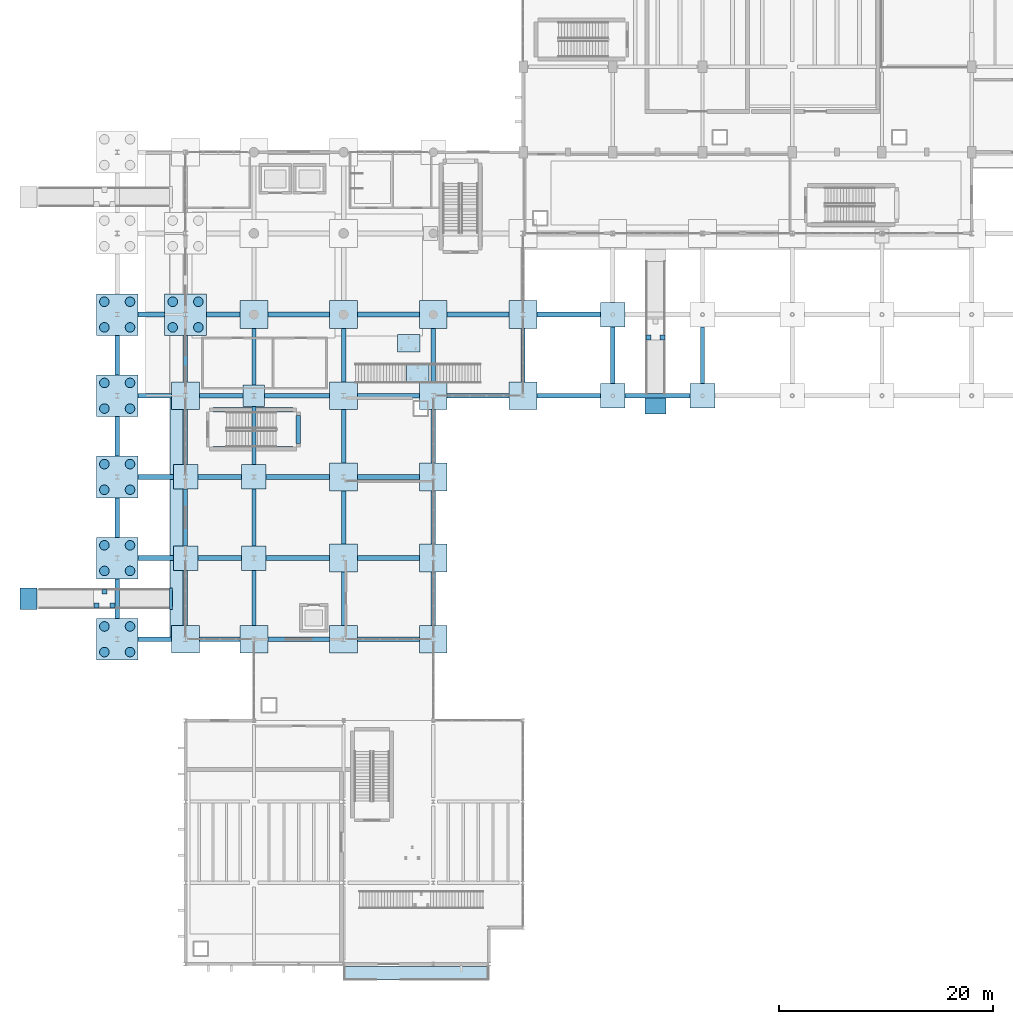
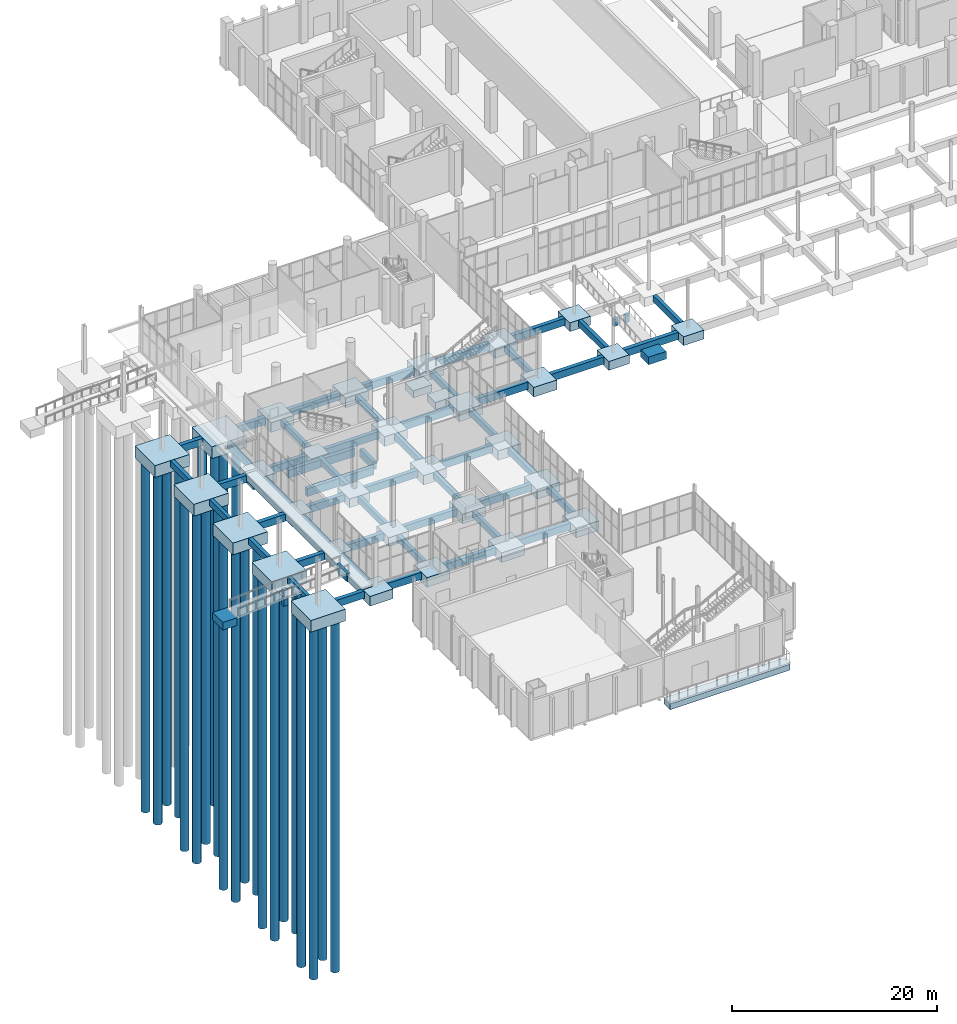
# One storey, part 1 of 95: 93 footings, 24 piles.
"""IFC4 building model written with IfcOpenShell, lengths in metres."""

from ifc_helpers import new_model, si_unit, direction, frame, origin, origin_2d, place, context, subcontext, project, spatial, polyline, rectangle, circle, outline, extrude, material, material_profile, profile_set, type_object, element, save


model = new_model("IFC4")

# Units and contexts
model_context = context("Model", 3, precision=1e-05, world=origin(), true_north=direction((0.0, 1.0)))
body_context = subcontext(model_context, "Body", "Model", "MODEL_VIEW")
ifc_project = project(units=[si_unit("LENGTHUNIT", "METRE"), si_unit("AREAUNIT", "SQUARE_METRE"), si_unit("VOLUMEUNIT", "CUBIC_METRE"), si_unit("PLANEANGLEUNIT", "RADIAN"), si_unit("MASSUNIT", "GRAM", prefix="KILO")], contexts=[model_context])

# Site, building, storey
site_placement = place(None, origin())
site = spatial("IfcSite", under=ifc_project, at=site_placement, CompositionType="ELEMENT")
building_placement = place(site_placement, origin())
building = spatial("IfcBuilding", under=site, at=building_placement, Name="Shengluoqiao Park Theatre", CompositionType="ELEMENT")
storey_placement = place(building_placement, origin())
storey = spatial("IfcBuildingStorey", under=building, at=storey_placement, Name="L00", CompositionType="ELEMENT", Elevation=0.0)

# Footings
ifc_material = material(Name="Concrete C40", Category="concrete")
footing_type_1 = type_object("IfcFootingType", Name="STR-PAD-1750", PredefinedType="PAD_FOOTING", material=ifc_material)
for number, where, z_axis, x_axis, name in (
    (1, (4.449951171875, 33.550048828125, -1.5), (0.0, 0.0, 1.0), (1.0, 0.0, 0.0), "RMP-02 Landing Pier 1"),
    (2, (5.949951171875, 33.550048828125, -1.5), (0.0, 0.0, 1.0), (1.0, 0.0, 0.0), "RMP-02 Landing Pier 2"),
    (3, (5.199951171875, 34.85009765625, -1.5), (0.0, 0.0, 1.0), (1.0, 0.0, 0.0), "RMP-02 Landing Pier 3"),
    (4, (56.14990234375, 58.64990234375, -1.5), (0.0, 0.0, 1.0), (1.0, 0.0, 0.0), "RMP-03 Landing Pier 1"),
    (5, (57.449951171875, 58.64990234375, -1.5), (0.0, 0.0, 1.0), (1.0, 0.0, 0.0), "RMP-03 Landing Pier 2"),
):
    element("IfcFooting", number, at=place(storey_placement, frame(where, z_axis=z_axis, x_axis=x_axis)), inside=storey, type_object=footing_type_1, Name=name, PredefinedType="PAD_FOOTING", context=body_context, shape_type="SweptSolid", body=[
        extrude(rectangle(XDim=0.449951171875, YDim=0.449951171875, at=origin_2d()), origin(), (0.0, 0.0, 1.0), 0.830078125),
    ])
footing_type_2 = type_object("IfcFootingType", Name="STR-PAD-2000", PredefinedType="PAD_FOOTING", material=ifc_material)
footing_1_placement = place(storey_placement, frame((19.199951171875, 53.199951171875, -1.25), z_axis=(0.0, 0.0, 1.0), x_axis=(1.0, 0.0, 0.0)))
element("IfcFooting", 6, at=footing_1_placement, inside=storey, type_object=footing_type_2, Name="Pad Footing PF-009", PredefinedType="PAD_FOOTING", context=body_context, shape_type="SweptSolid", body=[
    extrude(rectangle(XDim=2.0, YDim=2.0, at=origin_2d()), origin(), (0.0, 0.0, 1.0), 0.949951171875),
])
footing_type_3 = type_object("IfcFootingType", Name="STR-PAD-2300", PredefinedType="PAD_FOOTING", material=ifc_material)
for number, where, z_axis, x_axis, name in (
    (7, (12.800048828125, 38.0, -1.35009765625), (0.0, 0.0, 1.0), (1.0, 0.0, 0.0), "Pad Footing PF-002"),
    (8, (12.800048828125, 45.60009765625, -1.35009765625), (0.0, 0.0, 1.0), (1.0, 0.0, 0.0), "Pad Footing PF-003"),
    (9, (19.199951171875, 38.0, -1.35009765625), (0.0, 0.0, 1.0), (1.0, 0.0, 0.0), "Pad Footing PF-007"),
    (10, (19.199951171875, 45.60009765625, -1.35009765625), (0.0, 0.0, 1.0), (1.0, 0.0, 0.0), "Pad Footing PF-008"),
    (11, (52.800048828125, 53.199951171875, -1.35009765625), (0.0, 0.0, 1.0), (1.0, 0.0, 0.0), "Pad Footing PF-030"),
    (12, (52.800048828125, 60.800048828125, -1.35009765625), (0.0, 0.0, 1.0), (1.0, 0.0, 0.0), "Pad Footing PF-031"),
    (13, (61.199951171875, 53.199951171875, -1.35009765625), (0.0, 0.0, 1.0), (1.0, 0.0, 0.0), "Pad Footing PF-033"),
):
    element("IfcFooting", number, at=place(storey_placement, frame(where, z_axis=z_axis, x_axis=x_axis)), inside=storey, type_object=footing_type_3, Name=name, PredefinedType="PAD_FOOTING", context=body_context, shape_type="SweptSolid", body=[
        extrude(rectangle(XDim=2.300048828125, YDim=2.300048828125, at=origin_2d()), origin(), (0.0, 0.0, 1.0), 1.050048828125),
    ])
for number, where, z_axis, x_axis, name in (
    (14, (34.554931640625, 55.300048828125, -1.150146484375), (0.0, 0.0, 1.0), (1.0, 0.0, 0.0), "ST-07-L00 Combined Landing Pad"),
    (15, (33.68505859375, 58.10009765625, -1.150146484375), (0.0, 0.0, 1.0), (1.0, 0.0, 0.0), "ST-07-L01 Combined Landing Pad"),
):
    element("IfcFooting", number, at=place(storey_placement, frame(where, z_axis=z_axis, x_axis=x_axis)), inside=storey, type_object=footing_type_3, Name=name, PredefinedType="PAD_FOOTING", context=body_context, shape_type="SweptSolid", body=[
        extrude(rectangle(XDim=2.10009765625, YDim=1.64990234375, at=origin_2d()), origin(), (0.0, 0.0, 1.0), 0.85009765625),
    ])
footing_type_4 = type_object("IfcFootingType", Name="STR-PAD-2600", PredefinedType="PAD_FOOTING", material=ifc_material)
for number, where, z_axis, x_axis, name in (
    (16, (12.800048828125, 30.39990234375, -1.449951171875), (0.0, 0.0, 1.0), (1.0, 0.0, 0.0), "Pad Footing PF-001"),
    (17, (12.800048828125, 53.199951171875, -1.449951171875), (0.0, 0.0, 1.0), (1.0, 0.0, 0.0), "Pad Footing PF-004"),
    (18, (19.199951171875, 30.39990234375, -1.449951171875), (0.0, 0.0, 1.0), (1.0, 0.0, 0.0), "Pad Footing PF-006"),
    (19, (19.199951171875, 60.800048828125, -1.449951171875), (0.0, 0.0, 1.0), (1.0, 0.0, 0.0), "Pad Footing PF-010"),
    (20, (27.60009765625, 30.39990234375, -1.449951171875), (0.0, 0.0, 1.0), (1.0, 0.0, 0.0), "Pad Footing PF-013"),
    (21, (27.60009765625, 38.0, -1.449951171875), (0.0, 0.0, 1.0), (1.0, 0.0, 0.0), "Pad Footing PF-014"),
    (22, (27.60009765625, 45.60009765625, -1.449951171875), (0.0, 0.0, 1.0), (1.0, 0.0, 0.0), "Pad Footing PF-015"),
    (23, (27.60009765625, 53.199951171875, -1.449951171875), (0.0, 0.0, 1.0), (1.0, 0.0, 0.0), "Pad Footing PF-016"),
    (24, (27.60009765625, 60.800048828125, -1.449951171875), (0.0, 0.0, 1.0), (1.0, 0.0, 0.0), "Pad Footing PF-017"),
    (25, (36.0, 30.39990234375, -1.449951171875), (0.0, 0.0, 1.0), (1.0, 0.0, 0.0), "Pad Footing PF-020"),
    (26, (36.0, 38.0, -1.449951171875), (0.0, 0.0, 1.0), (1.0, 0.0, 0.0), "Pad Footing PF-021"),
    (27, (36.0, 45.60009765625, -1.449951171875), (0.0, 0.0, 1.0), (1.0, 0.0, 0.0), "Pad Footing PF-022"),
    (28, (36.0, 53.199951171875, -1.449951171875), (0.0, 0.0, 1.0), (1.0, 0.0, 0.0), "Pad Footing PF-023"),
    (29, (36.0, 60.800048828125, -1.449951171875), (0.0, 0.0, 1.0), (1.0, 0.0, 0.0), "Pad Footing PF-024"),
    (30, (44.39990234375, 53.199951171875, -1.449951171875), (0.0, 0.0, 1.0), (1.0, 0.0, 0.0), "Pad Footing PF-027"),
    (31, (44.39990234375, 60.800048828125, -1.449951171875), (0.0, 0.0, 1.0), (1.0, 0.0, 0.0), "Pad Footing PF-028"),
):
    element("IfcFooting", number, at=place(storey_placement, frame(where, z_axis=z_axis, x_axis=x_axis)), inside=storey, type_object=footing_type_4, Name=name, PredefinedType="PAD_FOOTING", context=body_context, shape_type="SweptSolid", body=[
        extrude(rectangle(XDim=2.60009765625, YDim=2.60009765625, at=origin_2d()), origin(), (0.0, 0.0, 1.0), 1.14990234375),
    ])
footing_type_5 = type_object("IfcFootingType", Name="STR-PC4-3900", PredefinedType="PILE_CAP", material=ifc_material)
for number, where, z_axis, x_axis, name in (
    (32, (6.39990234375, 30.39990234375, -1.699951171875), (0.0, 0.0, 1.0), (1.0, 0.0, 0.0), "Pile Cap PC4-017"),
    (33, (6.39990234375, 38.0, -1.699951171875), (0.0, 0.0, 1.0), (1.0, 0.0, 0.0), "Pile Cap PC4-018"),
    (34, (6.39990234375, 45.60009765625, -1.699951171875), (0.0, 0.0, 1.0), (1.0, 0.0, 0.0), "Pile Cap PC4-019"),
    (35, (6.39990234375, 53.199951171875, -1.699951171875), (0.0, 0.0, 1.0), (1.0, 0.0, 0.0), "Pile Cap PC4-020"),
    (36, (6.39990234375, 60.800048828125, -1.699951171875), (0.0, 0.0, 1.0), (1.0, 0.0, 0.0), "Pile Cap PC4-021"),
    (37, (12.800048828125, 60.800048828125, -1.699951171875), (0.0, 0.0, 1.0), (1.0, 0.0, 0.0), "Pile Cap PC4-024"),
):
    element("IfcFooting", number, at=place(storey_placement, frame(where, z_axis=z_axis, x_axis=x_axis)), inside=storey, type_object=footing_type_5, Name=name, PredefinedType="PILE_CAP", context=body_context, shape_type="SweptSolid", body=[
        extrude(rectangle(XDim=3.89990234375, YDim=3.89990234375, at=origin_2d()), origin(), (0.0, 0.0, 1.0), 1.39990234375),
    ])

# Piles
ifc_material_profile_1 = material_profile(ifc_material, circle(Radius=0.449951171875, at=origin_2d()), Name="BORED PILE D900")
ifc_profile_set_1 = profile_set([ifc_material_profile_1], Name="Concrete C40")
pile_type = type_object("IfcPileType", Name="STR-PILE-D900", PredefinedType="BORED", material=ifc_profile_set_1)
for number, where, z_axis, x_axis, name in (
    (38, (5.199951171875, 29.199951171875, -1.60009765625), (0.0, 0.0, -1.0), (1.0, 0.0, 0.0), "Bored Pile P-065"),
    (39, (7.60009765625, 29.199951171875, -1.60009765625), (0.0, 0.0, -1.0), (1.0, 0.0, 0.0), "Bored Pile P-066"),
    (40, (7.60009765625, 31.60009765625, -1.60009765625), (0.0, 0.0, -1.0), (1.0, 0.0, 0.0), "Bored Pile P-067"),
    (41, (5.199951171875, 31.60009765625, -1.60009765625), (0.0, 0.0, -1.0), (1.0, 0.0, 0.0), "Bored Pile P-068"),
    (42, (5.199951171875, 36.800048828125, -1.60009765625), (0.0, 0.0, -1.0), (1.0, 0.0, 0.0), "Bored Pile P-069"),
    (43, (7.60009765625, 36.800048828125, -1.60009765625), (0.0, 0.0, -1.0), (1.0, 0.0, 0.0), "Bored Pile P-070"),
    (44, (7.60009765625, 39.199951171875, -1.60009765625), (0.0, 0.0, -1.0), (1.0, 0.0, 0.0), "Bored Pile P-071"),
    (45, (5.199951171875, 39.199951171875, -1.60009765625), (0.0, 0.0, -1.0), (1.0, 0.0, 0.0), "Bored Pile P-072"),
    (46, (5.199951171875, 44.39990234375, -1.60009765625), (0.0, 0.0, -1.0), (1.0, 0.0, 0.0), "Bored Pile P-073"),
    (47, (7.60009765625, 44.39990234375, -1.60009765625), (0.0, 0.0, -1.0), (1.0, 0.0, 0.0), "Bored Pile P-074"),
    (48, (7.60009765625, 46.800048828125, -1.60009765625), (0.0, 0.0, -1.0), (1.0, 0.0, 0.0), "Bored Pile P-075"),
    (49, (5.199951171875, 46.800048828125, -1.60009765625), (0.0, 0.0, -1.0), (1.0, 0.0, 0.0), "Bored Pile P-076"),
    (50, (5.199951171875, 52.0, -1.60009765625), (0.0, 0.0, -1.0), (1.0, 0.0, 0.0), "Bored Pile P-077"),
    (51, (7.60009765625, 52.0, -1.60009765625), (0.0, 0.0, -1.0), (1.0, 0.0, 0.0), "Bored Pile P-078"),
    (52, (7.60009765625, 54.39990234375, -1.60009765625), (0.0, 0.0, -1.0), (1.0, 0.0, 0.0), "Bored Pile P-079"),
    (53, (5.199951171875, 54.39990234375, -1.60009765625), (0.0, 0.0, -1.0), (1.0, 0.0, 0.0), "Bored Pile P-080"),
    (54, (5.199951171875, 59.60009765625, -1.60009765625), (0.0, 0.0, -1.0), (1.0, 0.0, 0.0), "Bored Pile P-081"),
    (55, (7.60009765625, 59.60009765625, -1.60009765625), (0.0, 0.0, -1.0), (1.0, 0.0, 0.0), "Bored Pile P-082"),
    (56, (7.60009765625, 62.0, -1.60009765625), (0.0, 0.0, -1.0), (1.0, 0.0, 0.0), "Bored Pile P-083"),
    (57, (5.199951171875, 62.0, -1.60009765625), (0.0, 0.0, -1.0), (1.0, 0.0, 0.0), "Bored Pile P-084"),
    (58, (11.60009765625, 59.60009765625, -1.60009765625), (0.0, 0.0, -1.0), (1.0, 0.0, 0.0), "Bored Pile P-093"),
    (59, (14.0, 59.60009765625, -1.60009765625), (0.0, 0.0, -1.0), (1.0, 0.0, 0.0), "Bored Pile P-094"),
    (60, (14.0, 62.0, -1.60009765625), (0.0, 0.0, -1.0), (1.0, 0.0, 0.0), "Bored Pile P-095"),
    (61, (11.60009765625, 62.0, -1.60009765625), (0.0, 0.0, -1.0), (1.0, 0.0, 0.0), "Bored Pile P-096"),
):
    element("IfcPile", number, at=place(storey_placement, frame(where, z_axis=z_axis, x_axis=x_axis)), inside=storey, type_object=pile_type, Name=name, PredefinedType="BORED", context=body_context, shape_type="SweptSolid", body=[
        extrude(circle(Radius=0.449951171875, at=origin_2d()), origin(), (0.0, 0.0, 1.0), 41.89990234375),
    ])

# Footings
footing_type_6 = type_object("IfcFootingType", Name="STR-SF-1100", PredefinedType="STRIP_FOOTING", material=ifc_material)
footing_2_placement = place(storey_placement, frame((0.0, 0.0, -1.25)))
element("IfcFooting", 62, at=footing_2_placement, inside=storey, type_object=footing_type_6, Name="Core Strip Footing SF-10", PredefinedType="STRIP_FOOTING", context=body_context, shape_type="SweptSolid", body=[
    extrude(outline(polyline([(15.35009765625, 48.02001953125), (22.85009765625, 48.02001953125), (22.85009765625, 48.43994140625), (15.35009765625, 48.43994140625), (15.35009765625, 48.02001953125)])), origin(), (0.0, 0.0, 1.0), 0.949951171875),
])
footing_3_placement = place(storey_placement, frame((0.0, 0.0, -1.25)))
element("IfcFooting", 63, at=footing_3_placement, inside=storey, type_object=footing_type_6, Name="Core Strip Footing SF-11", PredefinedType="STRIP_FOOTING", context=body_context, shape_type="SweptSolid", body=[
    extrude(outline(polyline([(23.159912109375, 48.75), (23.580078125, 48.75), (23.580078125, 51.35009765625), (23.159912109375, 51.35009765625), (23.159912109375, 48.75)])), origin(), (0.0, 0.0, 1.0), 0.949951171875),
])
footing_4_placement = place(storey_placement, frame((0.0, 0.0, -1.25)))
element("IfcFooting", 64, at=footing_4_placement, inside=storey, type_object=footing_type_6, Name="Core Strip Footing SF-12", PredefinedType="STRIP_FOOTING", context=body_context, shape_type="SweptSolid", body=[
    extrude(outline(polyline([(15.35009765625, 51.659912109375), (22.85009765625, 51.659912109375), (22.85009765625, 52.080078125), (15.35009765625, 52.080078125), (15.35009765625, 51.659912109375)])), origin(), (0.0, 0.0, 1.0), 0.949951171875),
])
footing_5_placement = place(storey_placement, frame((0.0, 0.0, -0.919921875)))
element("IfcFooting", 65, at=footing_5_placement, inside=storey, type_object=footing_type_6, Name="Apron Strip Footing APR-WEST-STU", PredefinedType="STRIP_FOOTING", context=body_context, shape_type="SweptSolid", body=[
    extrude(outline(polyline([(11.35009765625, 30.449951171875), (12.570068359375, 30.449951171875), (12.570068359375, 53.14990234375), (11.35009765625, 53.14990234375), (11.35009765625, 30.449951171875)])), origin(), (0.0, 0.0, 1.0), 0.699951171875),
])
footing_6_placement = place(storey_placement, frame((0.0, 0.0, -0.919921875)))
element("IfcFooting", 66, at=footing_6_placement, inside=storey, type_object=footing_type_6, Name="Apron Strip Footing APR-STH-BBX", PredefinedType="STRIP_FOOTING", context=body_context, shape_type="SweptSolid", body=[
    extrude(outline(polyline([(27.64990234375, -1.449951171875), (41.14990234375, -1.449951171875), (41.14990234375, -0.22998046875), (27.64990234375, -0.22998046875), (27.64990234375, -1.449951171875)])), origin(), (0.0, 0.0, 1.0), 0.699951171875),
])
footing_7_placement = place(storey_placement, frame((0.0, 0.0, -1.800048828125)))
element("IfcFooting", 67, at=footing_7_placement, inside=storey, type_object=footing_type_6, Name="RMP-02 Lower Approach Footing", PredefinedType="STRIP_FOOTING", context=body_context, shape_type="SweptSolid", body=[
    extrude(outline(polyline([(-2.699951171875, 33.199951171875), (-1.10009765625, 33.199951171875), (-1.10009765625, 35.199951171875), (-2.699951171875, 35.199951171875), (-2.699951171875, 33.199951171875)])), origin(), (0.0, 0.0, 1.0), 0.900146484375),
])
footing_8_placement = place(storey_placement, frame((0.0, 0.0, -1.0)))
element("IfcFooting", 68, at=footing_8_placement, inside=storey, type_object=footing_type_6, Name="RMP-02 Upper Arrival Pier", PredefinedType="STRIP_FOOTING", context=body_context, shape_type="SweptSolid", body=[
    extrude(outline(polyline([(11.590087890625, 33.199951171875), (11.2900390625, 33.199951171875), (11.2900390625, 35.199951171875), (11.590087890625, 35.199951171875), (11.590087890625, 33.199951171875)])), origin(), (0.0, 0.0, 1.0), 1.0),
])
footing_9_placement = place(storey_placement, frame((0.0, 0.0, -1.800048828125)))
element("IfcFooting", 69, at=footing_9_placement, inside=storey, type_object=footing_type_6, Name="RMP-03 Lower Approach Footing", PredefinedType="STRIP_FOOTING", context=body_context, shape_type="SweptSolid", body=[
    extrude(outline(polyline([(55.800048828125, 51.5), (57.800048828125, 51.5), (57.800048828125, 53.10009765625), (55.800048828125, 53.10009765625), (55.800048828125, 51.5)])), origin(), (0.0, 0.0, 1.0), 0.900146484375),
])
ifc_material_profile_2 = material_profile(ifc_material, rectangle(XDim=0.39990234375, YDim=0.75, at=origin_2d()), Name="RC TIE 400x750")
ifc_profile_set_2 = profile_set([ifc_material_profile_2], Name="Concrete C40")
footing_type_7 = type_object("IfcFootingType", Name="STR-TB-400x750", PredefinedType="FOOTING_BEAM", material=ifc_profile_set_2)
for number, where, z_axis, x_axis, name in (
    (70, (6.39990234375, 32.35009765625, -0.675048828125), (0.0, 1.0, 0.0), (-1.0, 0.0, 0.0), "Foundation Tie Beam TB-Y087"),
    (71, (6.39990234375, 39.949951171875, -0.675048828125), (0.0, 1.0, 0.0), (-1.0, 0.0, 0.0), "Foundation Tie Beam TB-Y088"),
    (72, (6.39990234375, 47.550048828125, -0.675048828125), (0.0, 1.0, 0.0), (-1.0, 0.0, 0.0), "Foundation Tie Beam TB-Y089"),
):
    element("IfcFooting", number, at=place(storey_placement, frame(where, z_axis=z_axis, x_axis=x_axis)), inside=storey, type_object=footing_type_7, Name=name, PredefinedType="FOOTING_BEAM", context=body_context, shape_type="SweptSolid", body=[
        extrude(rectangle(XDim=0.39990234375, YDim=0.75, at=origin_2d()), origin(), (0.0, 0.0, 1.0), 3.699951171875),
    ])
footing_10_placement = place(storey_placement, frame((6.39990234375, 55.14990234375, -0.675048828125), z_axis=(0.0, 1.0, 0.0), x_axis=(-1.0, 0.0, 0.0)))
element("IfcFooting", 73, at=footing_10_placement, inside=storey, type_object=footing_type_7, Name="Foundation Tie Beam TB-Y090", PredefinedType="FOOTING_BEAM", context=body_context, shape_type="SweptSolid", body=[
    extrude(rectangle(XDim=0.39990234375, YDim=0.75, at=origin_2d()), origin(), (0.0, 0.0, 1.0), 3.7001953125),
])
footing_11_placement = place(storey_placement, frame((12.800048828125, 31.699951171875, -0.675048828125), z_axis=(0.0, 1.0, 0.0), x_axis=(-1.0, 0.0, 0.0)))
element("IfcFooting", 74, at=footing_11_placement, inside=storey, type_object=footing_type_7, Name="Foundation Tie Beam TB-Y093", PredefinedType="FOOTING_BEAM", context=body_context, shape_type="SweptSolid", body=[
    extrude(rectangle(XDim=0.39990234375, YDim=0.75, at=origin_2d()), origin(), (0.0, 0.0, 1.0), 5.150146484375),
])
footing_12_placement = place(storey_placement, frame((12.800048828125, 39.14990234375, -0.675048828125), z_axis=(0.0, 1.0, 0.0), x_axis=(-1.0, 0.0, 0.0)))
element("IfcFooting", 75, at=footing_12_placement, inside=storey, type_object=footing_type_7, Name="Foundation Tie Beam TB-Y094", PredefinedType="FOOTING_BEAM", context=body_context, shape_type="SweptSolid", body=[
    extrude(rectangle(XDim=0.39990234375, YDim=0.75, at=origin_2d()), origin(), (0.0, 0.0, 1.0), 5.300048828125),
])
footing_13_placement = place(storey_placement, frame((12.800048828125, 46.75, -0.675048828125), z_axis=(0.0, 1.0, 0.0), x_axis=(-1.0, 0.0, 0.0)))
element("IfcFooting", 76, at=footing_13_placement, inside=storey, type_object=footing_type_7, Name="Foundation Tie Beam TB-Y095", PredefinedType="FOOTING_BEAM", context=body_context, shape_type="SweptSolid", body=[
    extrude(rectangle(XDim=0.39990234375, YDim=0.75, at=origin_2d()), origin(), (0.0, 0.0, 1.0), 5.14990234375),
])
footing_14_placement = place(storey_placement, frame((12.800048828125, 54.5, -0.675048828125), z_axis=(0.0, 1.0, 0.0), x_axis=(-1.0, 0.0, 0.0)))
element("IfcFooting", 77, at=footing_14_placement, inside=storey, type_object=footing_type_7, Name="Foundation Tie Beam TB-Y096", PredefinedType="FOOTING_BEAM", context=body_context, shape_type="SweptSolid", body=[
    extrude(rectangle(XDim=0.39990234375, YDim=0.75, at=origin_2d()), origin(), (0.0, 0.0, 1.0), 4.35009765625),
])
footing_15_placement = place(storey_placement, frame((19.199951171875, 31.699951171875, -0.675048828125), z_axis=(0.0, 1.0, 0.0), x_axis=(-1.0, 0.0, 0.0)))
element("IfcFooting", 78, at=footing_15_placement, inside=storey, type_object=footing_type_7, Name="Foundation Tie Beam TB-Y099", PredefinedType="FOOTING_BEAM", context=body_context, shape_type="SweptSolid", body=[
    extrude(rectangle(XDim=0.39990234375, YDim=0.75, at=origin_2d()), origin(), (0.0, 0.0, 1.0), 5.150146484375),
])
footing_16_placement = place(storey_placement, frame((19.199951171875, 39.14990234375, -0.675048828125), z_axis=(0.0, 1.0, 0.0), x_axis=(-1.0, 0.0, 0.0)))
element("IfcFooting", 79, at=footing_16_placement, inside=storey, type_object=footing_type_7, Name="Foundation Tie Beam TB-Y100", PredefinedType="FOOTING_BEAM", context=body_context, shape_type="SweptSolid", body=[
    extrude(rectangle(XDim=0.39990234375, YDim=0.75, at=origin_2d()), origin(), (0.0, 0.0, 1.0), 5.300048828125),
])
footing_17_placement = place(storey_placement, frame((19.199951171875, 46.75, -0.675048828125), z_axis=(0.0, 1.0, 0.0), x_axis=(-1.0, 0.0, 0.0)))
element("IfcFooting", 80, at=footing_17_placement, inside=storey, type_object=footing_type_7, Name="Foundation Tie Beam TB-Y101", PredefinedType="FOOTING_BEAM", context=body_context, shape_type="SweptSolid", body=[
    extrude(rectangle(XDim=0.39990234375, YDim=0.75, at=origin_2d()), origin(), (0.0, 0.0, 1.0), 5.449951171875),
])
footing_18_placement = place(storey_placement, frame((19.199951171875, 54.199951171875, -0.675048828125), z_axis=(0.0, 1.0, 0.0), x_axis=(-1.0, 0.0, 0.0)))
element("IfcFooting", 81, at=footing_18_placement, inside=storey, type_object=footing_type_7, Name="Foundation Tie Beam TB-Y102", PredefinedType="FOOTING_BEAM", context=body_context, shape_type="SweptSolid", body=[
    extrude(rectangle(XDim=0.39990234375, YDim=0.75, at=origin_2d()), origin(), (0.0, 0.0, 1.0), 5.300048828125),
])
for number, where, z_axis, x_axis, name in (
    (82, (27.60009765625, 31.699951171875, -0.675048828125), (0.0, 1.0, 0.0), (-1.0, 0.0, 0.0), "Foundation Tie Beam TB-Y105"),
    (83, (27.60009765625, 39.300048828125, -0.675048828125), (0.0, 1.0, 0.0), (-1.0, 0.0, 0.0), "Foundation Tie Beam TB-Y106"),
    (84, (27.60009765625, 46.89990234375, -0.675048828125), (0.0, 1.0, 0.0), (-1.0, 0.0, 0.0), "Foundation Tie Beam TB-Y107"),
    (85, (27.60009765625, 54.5, -0.675048828125), (0.0, 1.0, 0.0), (-1.0, 0.0, 0.0), "Foundation Tie Beam TB-Y108"),
    (86, (36.0, 31.699951171875, -0.675048828125), (0.0, 1.0, 0.0), (-1.0, 0.0, 0.0), "Foundation Tie Beam TB-Y111"),
    (87, (36.0, 39.300048828125, -0.675048828125), (0.0, 1.0, 0.0), (-1.0, 0.0, 0.0), "Foundation Tie Beam TB-Y112"),
    (88, (36.0, 46.89990234375, -0.675048828125), (0.0, 1.0, 0.0), (-1.0, 0.0, 0.0), "Foundation Tie Beam TB-Y113"),
    (89, (36.0, 54.5, -0.675048828125), (0.0, 1.0, 0.0), (-1.0, 0.0, 0.0), "Foundation Tie Beam TB-Y114"),
    (90, (44.39990234375, 54.5, -0.675048828125), (0.0, 1.0, 0.0), (-1.0, 0.0, 0.0), "Foundation Tie Beam TB-Y115"),
):
    element("IfcFooting", number, at=place(storey_placement, frame(where, z_axis=z_axis, x_axis=x_axis)), inside=storey, type_object=footing_type_7, Name=name, PredefinedType="FOOTING_BEAM", context=body_context, shape_type="SweptSolid", body=[
        extrude(rectangle(XDim=0.39990234375, YDim=0.75, at=origin_2d()), origin(), (0.0, 0.0, 1.0), 5.0),
    ])
for number, where, z_axis, x_axis, name in (
    (91, (52.800048828125, 54.35009765625, -0.675048828125), (0.0, 1.0, 0.0), (-1.0, 0.0, 0.0), "Foundation Tie Beam TB-Y117"),
    (92, (61.199951171875, 54.35009765625, -0.675048828125), (0.0, 1.0, 0.0), (-1.0, 0.0, 0.0), "Foundation Tie Beam TB-Y119"),
):
    element("IfcFooting", number, at=place(storey_placement, frame(where, z_axis=z_axis, x_axis=x_axis)), inside=storey, type_object=footing_type_7, Name=name, PredefinedType="FOOTING_BEAM", context=body_context, shape_type="SweptSolid", body=[
        extrude(rectangle(XDim=0.39990234375, YDim=0.75, at=origin_2d()), origin(), (0.0, 0.0, 1.0), 5.2998046875),
    ])
ifc_material_profile_3 = material_profile(ifc_material, rectangle(XDim=0.449951171875, YDim=0.85009765625, at=origin_2d()), Name="RC TIE 450x850")
ifc_profile_set_3 = profile_set([ifc_material_profile_3], Name="Concrete C40")
footing_type_8 = type_object("IfcFootingType", Name="STR-TB-450x850", PredefinedType="FOOTING_BEAM", material=ifc_profile_set_3)
footing_19_placement = place(storey_placement, frame((8.35009765625, 30.39990234375, -0.72509765625), z_axis=(1.0, 0.0, 0.0), x_axis=(0.0, 1.0, 0.0)))
element("IfcFooting", 93, at=footing_19_placement, inside=storey, type_object=footing_type_8, Name="Foundation Tie Beam TB-X006", PredefinedType="FOOTING_BEAM", context=body_context, shape_type="SweptSolid", body=[
    extrude(rectangle(XDim=0.449951171875, YDim=0.85009765625, at=origin_2d()), origin(), (0.0, 0.0, 1.0), 3.14990234375),
])
footing_20_placement = place(storey_placement, frame((14.10009765625, 30.39990234375, -0.72509765625), z_axis=(1.0, 0.0, 0.0), x_axis=(0.0, 1.0, 0.0)))
element("IfcFooting", 94, at=footing_20_placement, inside=storey, type_object=footing_type_8, Name="Foundation Tie Beam TB-X007", PredefinedType="FOOTING_BEAM", context=body_context, shape_type="SweptSolid", body=[
    extrude(rectangle(XDim=0.449951171875, YDim=0.85009765625, at=origin_2d()), origin(), (0.0, 0.0, 1.0), 3.7998046875),
])
for number, where, z_axis, x_axis, name in (
    (95, (20.5, 30.39990234375, -0.72509765625), (1.0, 0.0, 0.0), (0.0, 1.0, 0.0), "Foundation Tie Beam TB-X008"),
    (96, (28.89990234375, 30.39990234375, -0.72509765625), (1.0, 0.0, 0.0), (0.0, 1.0, 0.0), "Foundation Tie Beam TB-X009"),
):
    element("IfcFooting", number, at=place(storey_placement, frame(where, z_axis=z_axis, x_axis=x_axis)), inside=storey, type_object=footing_type_8, Name=name, PredefinedType="FOOTING_BEAM", context=body_context, shape_type="SweptSolid", body=[
        extrude(rectangle(XDim=0.449951171875, YDim=0.85009765625, at=origin_2d()), origin(), (0.0, 0.0, 1.0), 5.800048828125),
    ])
footing_21_placement = place(storey_placement, frame((8.35009765625, 38.0, -0.72509765625), z_axis=(1.0, 0.0, 0.0), x_axis=(0.0, 1.0, 0.0)))
element("IfcFooting", 97, at=footing_21_placement, inside=storey, type_object=footing_type_8, Name="Foundation Tie Beam TB-X011", PredefinedType="FOOTING_BEAM", context=body_context, shape_type="SweptSolid", body=[
    extrude(rectangle(XDim=0.449951171875, YDim=0.85009765625, at=origin_2d()), origin(), (0.0, 0.0, 1.0), 3.2998046875),
])
footing_22_placement = place(storey_placement, frame((13.949951171875, 38.0, -0.72509765625), z_axis=(1.0, 0.0, 0.0), x_axis=(0.0, 1.0, 0.0)))
element("IfcFooting", 98, at=footing_22_placement, inside=storey, type_object=footing_type_8, Name="Foundation Tie Beam TB-X012", PredefinedType="FOOTING_BEAM", context=body_context, shape_type="SweptSolid", body=[
    extrude(rectangle(XDim=0.449951171875, YDim=0.85009765625, at=origin_2d()), origin(), (0.0, 0.0, 1.0), 4.10009765625),
])
footing_23_placement = place(storey_placement, frame((20.35009765625, 38.0, -0.72509765625), z_axis=(1.0, 0.0, 0.0), x_axis=(0.0, 1.0, 0.0)))
element("IfcFooting", 99, at=footing_23_placement, inside=storey, type_object=footing_type_8, Name="Foundation Tie Beam TB-X013", PredefinedType="FOOTING_BEAM", context=body_context, shape_type="SweptSolid", body=[
    extrude(rectangle(XDim=0.449951171875, YDim=0.85009765625, at=origin_2d()), origin(), (0.0, 0.0, 1.0), 5.949951171875),
])
footing_24_placement = place(storey_placement, frame((28.89990234375, 38.0, -0.72509765625), z_axis=(1.0, 0.0, 0.0), x_axis=(0.0, 1.0, 0.0)))
element("IfcFooting", 100, at=footing_24_placement, inside=storey, type_object=footing_type_8, Name="Foundation Tie Beam TB-X014", PredefinedType="FOOTING_BEAM", context=body_context, shape_type="SweptSolid", body=[
    extrude(rectangle(XDim=0.449951171875, YDim=0.85009765625, at=origin_2d()), origin(), (0.0, 0.0, 1.0), 5.800048828125),
])
footing_25_placement = place(storey_placement, frame((8.35009765625, 45.60009765625, -0.72509765625), z_axis=(1.0, 0.0, 0.0), x_axis=(0.0, 1.0, 0.0)))
element("IfcFooting", 101, at=footing_25_placement, inside=storey, type_object=footing_type_8, Name="Foundation Tie Beam TB-X016", PredefinedType="FOOTING_BEAM", context=body_context, shape_type="SweptSolid", body=[
    extrude(rectangle(XDim=0.449951171875, YDim=0.85009765625, at=origin_2d()), origin(), (0.0, 0.0, 1.0), 3.2998046875),
])
footing_26_placement = place(storey_placement, frame((13.949951171875, 45.60009765625, -0.72509765625), z_axis=(1.0, 0.0, 0.0), x_axis=(0.0, 1.0, 0.0)))
element("IfcFooting", 102, at=footing_26_placement, inside=storey, type_object=footing_type_8, Name="Foundation Tie Beam TB-X017", PredefinedType="FOOTING_BEAM", context=body_context, shape_type="SweptSolid", body=[
    extrude(rectangle(XDim=0.449951171875, YDim=0.85009765625, at=origin_2d()), origin(), (0.0, 0.0, 1.0), 4.10009765625),
])
footing_27_placement = place(storey_placement, frame((20.35009765625, 45.60009765625, -0.72509765625), z_axis=(1.0, 0.0, 0.0), x_axis=(0.0, 1.0, 0.0)))
element("IfcFooting", 103, at=footing_27_placement, inside=storey, type_object=footing_type_8, Name="Foundation Tie Beam TB-X018", PredefinedType="FOOTING_BEAM", context=body_context, shape_type="SweptSolid", body=[
    extrude(rectangle(XDim=0.449951171875, YDim=0.85009765625, at=origin_2d()), origin(), (0.0, 0.0, 1.0), 5.949951171875),
])
footing_28_placement = place(storey_placement, frame((28.89990234375, 45.60009765625, -0.72509765625), z_axis=(1.0, 0.0, 0.0), x_axis=(0.0, 1.0, 0.0)))
element("IfcFooting", 104, at=footing_28_placement, inside=storey, type_object=footing_type_8, Name="Foundation Tie Beam TB-X019", PredefinedType="FOOTING_BEAM", context=body_context, shape_type="SweptSolid", body=[
    extrude(rectangle(XDim=0.449951171875, YDim=0.85009765625, at=origin_2d()), origin(), (0.0, 0.0, 1.0), 5.800048828125),
])
footing_29_placement = place(storey_placement, frame((8.35009765625, 53.199951171875, -0.72509765625), z_axis=(1.0, 0.0, 0.0), x_axis=(0.0, 1.0, 0.0)))
element("IfcFooting", 105, at=footing_29_placement, inside=storey, type_object=footing_type_8, Name="Foundation Tie Beam TB-X021", PredefinedType="FOOTING_BEAM", context=body_context, shape_type="SweptSolid", body=[
    extrude(rectangle(XDim=0.449951171875, YDim=0.85009765625, at=origin_2d()), origin(), (0.0, 0.0, 1.0), 3.14990234375),
])
footing_30_placement = place(storey_placement, frame((14.10009765625, 53.199951171875, -0.72509765625), z_axis=(1.0, 0.0, 0.0), x_axis=(0.0, 1.0, 0.0)))
element("IfcFooting", 106, at=footing_30_placement, inside=storey, type_object=footing_type_8, Name="Foundation Tie Beam TB-X022", PredefinedType="FOOTING_BEAM", context=body_context, shape_type="SweptSolid", body=[
    extrude(rectangle(XDim=0.449951171875, YDim=0.85009765625, at=origin_2d()), origin(), (0.0, 0.0, 1.0), 4.099853515625),
])
footing_31_placement = place(storey_placement, frame((20.199951171875, 53.199951171875, -0.72509765625), z_axis=(1.0, 0.0, 0.0), x_axis=(0.0, 1.0, 0.0)))
element("IfcFooting", 107, at=footing_31_placement, inside=storey, type_object=footing_type_8, Name="Foundation Tie Beam TB-X023", PredefinedType="FOOTING_BEAM", context=body_context, shape_type="SweptSolid", body=[
    extrude(rectangle(XDim=0.449951171875, YDim=0.85009765625, at=origin_2d()), origin(), (0.0, 0.0, 1.0), 6.10009765625),
])
for number, where, z_axis, x_axis, name in (
    (108, (28.89990234375, 53.199951171875, -0.72509765625), (1.0, 0.0, 0.0), (0.0, 1.0, 0.0), "Foundation Tie Beam TB-X024"),
    (109, (37.300048828125, 53.199951171875, -0.72509765625), (1.0, 0.0, 0.0), (0.0, 1.0, 0.0), "Foundation Tie Beam TB-X025"),
):
    element("IfcFooting", number, at=place(storey_placement, frame(where, z_axis=z_axis, x_axis=x_axis)), inside=storey, type_object=footing_type_8, Name=name, PredefinedType="FOOTING_BEAM", context=body_context, shape_type="SweptSolid", body=[
        extrude(rectangle(XDim=0.449951171875, YDim=0.85009765625, at=origin_2d()), origin(), (0.0, 0.0, 1.0), 5.800048828125),
    ])
footing_32_placement = place(storey_placement, frame((45.699951171875, 53.199951171875, -0.72509765625), z_axis=(1.0, 0.0, 0.0), x_axis=(0.0, 1.0, 0.0)))
element("IfcFooting", 110, at=footing_32_placement, inside=storey, type_object=footing_type_8, Name="Foundation Tie Beam TB-X026", PredefinedType="FOOTING_BEAM", context=body_context, shape_type="SweptSolid", body=[
    extrude(rectangle(XDim=0.449951171875, YDim=0.85009765625, at=origin_2d()), origin(), (0.0, 0.0, 1.0), 5.949951171875),
])
footing_33_placement = place(storey_placement, frame((53.949951171875, 53.199951171875, -0.72509765625), z_axis=(1.0, 0.0, 0.0), x_axis=(0.0, 1.0, 0.0)))
element("IfcFooting", 111, at=footing_33_placement, inside=storey, type_object=footing_type_8, Name="Foundation Tie Beam TB-X027", PredefinedType="FOOTING_BEAM", context=body_context, shape_type="SweptSolid", body=[
    extrude(rectangle(XDim=0.449951171875, YDim=0.85009765625, at=origin_2d()), origin(), (0.0, 0.0, 1.0), 6.10009765625),
])
footing_34_placement = place(storey_placement, frame((8.35009765625, 60.800048828125, -0.72509765625), z_axis=(1.0, 0.0, 0.0), x_axis=(0.0, 1.0, 0.0)))
element("IfcFooting", 112, at=footing_34_placement, inside=storey, type_object=footing_type_8, Name="Foundation Tie Beam TB-X040", PredefinedType="FOOTING_BEAM", context=body_context, shape_type="SweptSolid", body=[
    extrude(rectangle(XDim=0.449951171875, YDim=0.85009765625, at=origin_2d()), origin(), (0.0, 0.0, 1.0), 2.5),
])
footing_35_placement = place(storey_placement, frame((14.75, 60.800048828125, -0.72509765625), z_axis=(1.0, 0.0, 0.0), x_axis=(0.0, 1.0, 0.0)))
element("IfcFooting", 113, at=footing_35_placement, inside=storey, type_object=footing_type_8, Name="Foundation Tie Beam TB-X041", PredefinedType="FOOTING_BEAM", context=body_context, shape_type="SweptSolid", body=[
    extrude(rectangle(XDim=0.449951171875, YDim=0.85009765625, at=origin_2d()), origin(), (0.0, 0.0, 1.0), 3.14990234375),
])
for number, where, z_axis, x_axis, name in (
    (114, (20.5, 60.800048828125, -0.72509765625), (1.0, 0.0, 0.0), (0.0, 1.0, 0.0), "Foundation Tie Beam TB-X042"),
    (115, (28.89990234375, 60.800048828125, -0.72509765625), (1.0, 0.0, 0.0), (0.0, 1.0, 0.0), "Foundation Tie Beam TB-X043"),
    (116, (37.300048828125, 60.800048828125, -0.72509765625), (1.0, 0.0, 0.0), (0.0, 1.0, 0.0), "Foundation Tie Beam TB-X044"),
):
    element("IfcFooting", number, at=place(storey_placement, frame(where, z_axis=z_axis, x_axis=x_axis)), inside=storey, type_object=footing_type_8, Name=name, PredefinedType="FOOTING_BEAM", context=body_context, shape_type="SweptSolid", body=[
        extrude(rectangle(XDim=0.449951171875, YDim=0.85009765625, at=origin_2d()), origin(), (0.0, 0.0, 1.0), 5.800048828125),
    ])
footing_36_placement = place(storey_placement, frame((45.699951171875, 60.800048828125, -0.72509765625), z_axis=(1.0, 0.0, 0.0), x_axis=(0.0, 1.0, 0.0)))
element("IfcFooting", 117, at=footing_36_placement, inside=storey, type_object=footing_type_8, Name="Foundation Tie Beam TB-X045", PredefinedType="FOOTING_BEAM", context=body_context, shape_type="SweptSolid", body=[
    extrude(rectangle(XDim=0.449951171875, YDim=0.85009765625, at=origin_2d()), origin(), (0.0, 0.0, 1.0), 5.949951171875),
])

save(model, "model.ifc")
